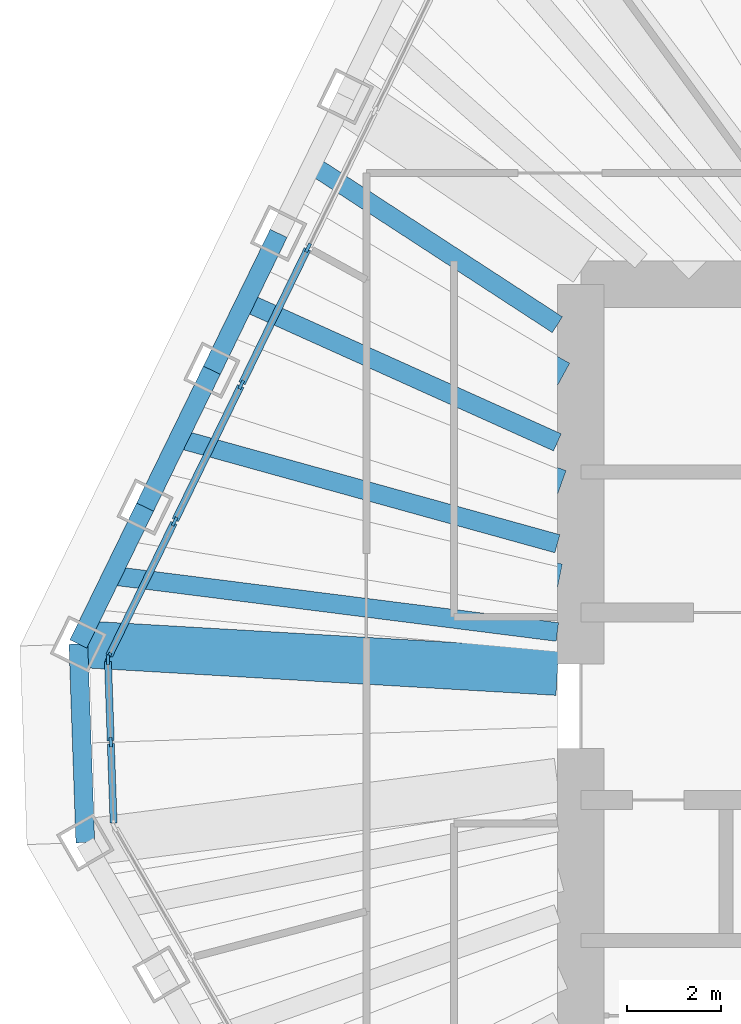
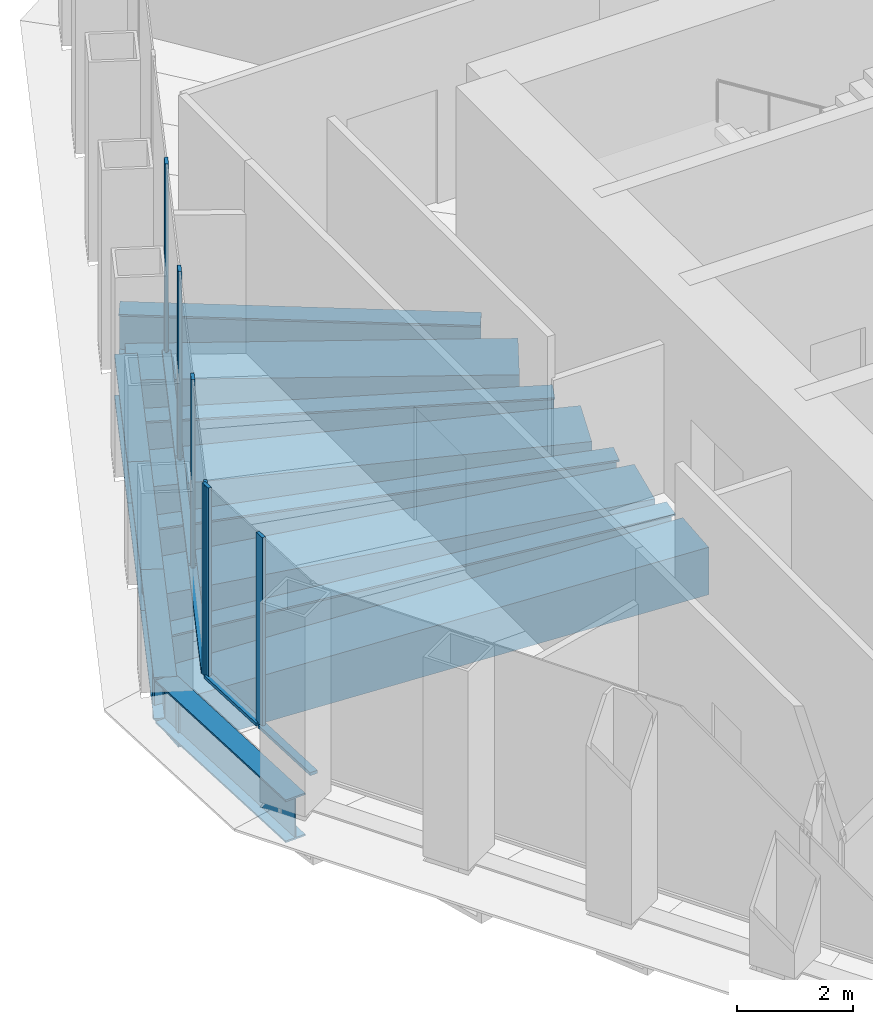
# One storey, part 4 of 14: 12 beams, 11 members, 2 elements without a shape of their own.
"""IFC4 building model written with IfcOpenShell, lengths in metres."""

from ifc_helpers import new_model, si_unit, direction, frame, origin, origin_2d, place, context, subcontext, project, spatial, rectangle, hollow_rectangle, i_section, extrude, material, material_profile, profile_set, type_object, element, aggregate, save


model = new_model("IFC4")

# Units and contexts
model_context = context("Model", 3, precision=1e-05, world=origin(), true_north=direction((0.0, 1.0)))
body_context = subcontext(model_context, "Body", "Model", "MODEL_VIEW")
ifc_project = project(units=[si_unit("LENGTHUNIT", "METRE"), si_unit("AREAUNIT", "SQUARE_METRE"), si_unit("VOLUMEUNIT", "CUBIC_METRE"), si_unit("PLANEANGLEUNIT", "RADIAN"), si_unit("MASSUNIT", "GRAM", prefix="KILO")], contexts=[model_context])

# Site, building, storey
site_placement = place(None, origin())
site = spatial("IfcSite", under=ifc_project, at=site_placement, CompositionType="ELEMENT")
building_placement = place(site_placement, origin())
building = spatial("IfcBuilding", under=site, at=building_placement, Name="Qingtian Harvest Tower", CompositionType="ELEMENT")
storey_placement = place(building_placement, frame((0.0, 0.0, 299.800048828125)))
storey = spatial("IfcBuildingStorey", under=building, at=storey_placement, Name="L66", CompositionType="ELEMENT", Elevation=299.800048828125)

# Beams
ifc_material_1 = material(Name="Steel SN490B", Category="steel")
ifc_material_profile_1 = material_profile(ifc_material_1, i_section(OverallWidth=0.39990234375, OverallDepth=0.89990234375, WebThickness=0.01904296875, FlangeThickness=0.035888671875, at=origin_2d()), Name="H900x400x19x36")
ifc_profile_set_1 = profile_set([ifc_material_profile_1], Name="Steel SN490B")
beam_type_1 = type_object("IfcBeamType", Name="Floor joist J4 H900x400x19x36", PredefinedType="JOIST", material=ifc_profile_set_1)
beam_1_placement = place(storey_placement, frame((-22.00537109375, 2.78662109375, -0.6201171875), z_axis=(0.992078247837, -0.125621455844, 0.0), x_axis=(0.125621455844, 0.992078247837, 0.0)))
element("IfcBeam", 1, at=beam_1_placement, inside=storey, type_object=beam_type_1, Name="Floor joist J4 NW0", PredefinedType="JOIST", context=body_context, shape_type="SweptSolid", body=[
    extrude(i_section(OverallWidth=0.39990234375, OverallDepth=0.89990234375, WebThickness=0.01904296875, FlangeThickness=0.035888671875, at=origin_2d()), origin(), (0.0, 0.0, 1.0), 9.581298828125),
])
beam_2_placement = place(storey_placement, frame((-20.58154296875, 5.7060546875, -0.6201171875), z_axis=(0.963652918134, -0.267157356949, 0.0), x_axis=(0.267157356949, 0.963652918134, 0.0)))
element("IfcBeam", 2, at=beam_2_placement, inside=storey, type_object=beam_type_1, Name="Floor joist J4 NW1", PredefinedType="JOIST", context=body_context, shape_type="SweptSolid", body=[
    extrude(i_section(OverallWidth=0.39990234375, OverallDepth=0.89990234375, WebThickness=0.01904296875, FlangeThickness=0.035888671875, at=origin_2d()), origin(), (0.0, 0.0, 1.0), 8.386474609375),
])
beam_3_placement = place(storey_placement, frame((-19.15771484375, 8.625244140625, -0.6201171875), z_axis=(0.911852669976, -0.410517610168, 0.0), x_axis=(0.410517610168, 0.911852669976, 0.0)))
element("IfcBeam", 3, at=beam_3_placement, inside=storey, type_object=beam_type_1, Name="Floor joist J4 NW2", PredefinedType="JOIST", context=body_context, shape_type="SweptSolid", body=[
    extrude(i_section(OverallWidth=0.39990234375, OverallDepth=0.89990234375, WebThickness=0.01904296875, FlangeThickness=0.035888671875, at=origin_2d()), origin(), (0.0, 0.0, 1.0), 7.30126953125),
])
beam_4_placement = place(storey_placement, frame((-17.73388671875, 11.544677734375, -0.6201171875), z_axis=(0.838062930903, -0.545573573266, 0.0), x_axis=(0.545573573266, 0.838062930903, 0.0)))
element("IfcBeam", 4, at=beam_4_placement, inside=storey, type_object=beam_type_1, Name="Floor joist J4 NW3", PredefinedType="JOIST", context=body_context, shape_type="SweptSolid", body=[
    extrude(i_section(OverallWidth=0.39990234375, OverallDepth=0.89990234375, WebThickness=0.01904296875, FlangeThickness=0.035888671875, at=origin_2d()), origin(), (0.0, 0.0, 1.0), 6.2451171875),
])

# Curtain wall, members
ifc_material_2 = material(Name="Bronze-anodised aluminium curtain wall", Category="aluminium")
curtain_wall_type = type_object("IfcCurtainWallType", Name="Curtain wall CW5 upper office", PredefinedType="USERDEFINED", material=ifc_material_2)
curtain_wall_1_placement = place(storey_placement, origin())
curtain_wall_1 = element("IfcCurtainWall", 5, at=curtain_wall_1_placement, inside=storey, type_object=curtain_wall_type, Name="Curtain wall CW5 L66 SWC", ObjectType="RECESSED CURTAIN WALL", PredefinedType="USERDEFINED")
ifc_material_3 = material(Name="Bronze-anodised aluminium mullion", Category="aluminium")
ifc_material_profile_2 = material_profile(ifc_material_3, rectangle(XDim=0.06494140625, YDim=0.199951171875, at=origin_2d()), Name="AL 65x200")
ifc_profile_set_2 = profile_set([ifc_material_profile_2], Name="Bronze-anodised aluminium mullion")
member_type_1 = type_object("IfcMemberType", Name="Mullion CWM 65x200", PredefinedType="MULLION", material=ifc_profile_set_2)
member_1_placement = place(storey_placement, frame((-22.025634765625, -0.76904296875, 0.0), z_axis=(0.0, 0.0, 1.0), x_axis=(-0.999390827019, -0.034899496703, 0.0)))
member_1 = element("IfcMember", 6, at=member_1_placement, type_object=member_type_1, Name="CW5 mullion 2", PredefinedType="MULLION", context=body_context, shape_type="SweptSolid", body=[
    extrude(rectangle(XDim=0.06494140625, YDim=0.199951171875, at=origin_2d()), origin(), (0.0, 0.0, 1.0), 4.030029296875),
])
member_2_placement = place(storey_placement, frame((-22.087158203125, 0.98779296875, 0.0), z_axis=(0.0, 0.0, 1.0), x_axis=(-0.999390827019, -0.034899496703, 0.0)))
member_2 = element("IfcMember", 7, at=member_2_placement, type_object=member_type_1, Name="CW5 mullion 3", PredefinedType="MULLION", context=body_context, shape_type="SweptSolid", body=[
    extrude(rectangle(XDim=0.06494140625, YDim=0.199951171875, at=origin_2d()), origin(), (0.0, 0.0, 1.0), 4.030029296875),
])

curtain_wall_2_placement = place(storey_placement, origin())
curtain_wall_2 = element("IfcCurtainWall", 8, at=curtain_wall_2_placement, inside=storey, type_object=curtain_wall_type, Name="Curtain wall CW5 L66 NW0-5", ObjectType="RECESSED CURTAIN WALL", PredefinedType="USERDEFINED")
member_3_placement = place(storey_placement, frame((-22.073974609375, 1.04931640625, 0.0), z_axis=(0.0, 0.0, 1.0), x_axis=(-0.898794046299, 0.438371146789, 0.0)))
member_3 = element("IfcMember", 9, at=member_3_placement, type_object=member_type_1, Name="CW5 mullion 1", PredefinedType="MULLION", context=body_context, shape_type="SweptSolid", body=[
    extrude(rectangle(XDim=0.06494140625, YDim=0.199951171875, at=origin_2d()), origin(), (0.0, 0.0, 1.0), 4.030029296875),
])
member_4_placement = place(storey_placement, frame((-20.664306640625, 3.939453125, 0.0), z_axis=(0.0, 0.0, 1.0), x_axis=(-0.898794046299, 0.438371146789, 0.0)))
member_4 = element("IfcMember", 10, at=member_4_placement, type_object=member_type_1, Name="CW5 mullion 2", PredefinedType="MULLION", context=body_context, shape_type="SweptSolid", body=[
    extrude(rectangle(XDim=0.06494140625, YDim=0.199951171875, at=origin_2d()), origin(), (0.0, 0.0, 1.0), 4.030029296875),
])
member_5_placement = place(storey_placement, frame((-19.240478515625, 6.85888671875, 0.0), z_axis=(0.0, 0.0, 1.0), x_axis=(-0.898794046299, 0.438371146789, 0.0)))
member_5 = element("IfcMember", 11, at=member_5_placement, type_object=member_type_1, Name="CW5 mullion 3", PredefinedType="MULLION", context=body_context, shape_type="SweptSolid", body=[
    extrude(rectangle(XDim=0.06494140625, YDim=0.199951171875, at=origin_2d()), origin(), (0.0, 0.0, 1.0), 4.030029296875),
])
member_6_placement = place(storey_placement, frame((-17.816650390625, 9.778076171875, 0.0), z_axis=(0.0, 0.0, 1.0), x_axis=(-0.898794046299, 0.438371146789, 0.0)))
member_6 = element("IfcMember", 12, at=member_6_placement, type_object=member_type_1, Name="CW5 mullion 4", PredefinedType="MULLION", context=body_context, shape_type="SweptSolid", body=[
    extrude(rectangle(XDim=0.06494140625, YDim=0.199951171875, at=origin_2d()), origin(), (0.0, 0.0, 1.0), 4.030029296875),
])

# Beams
ifc_material_4 = material(Name="Steel SN490B", Category="steel")
ifc_material_profile_3 = material_profile(ifc_material_4, i_section(OverallWidth=0.39990234375, OverallDepth=0.89990234375, WebThickness=0.01904296875, FlangeThickness=0.035888671875, at=origin_2d()), Name="H900x400x19x36")
ifc_profile_set_3 = profile_set([ifc_material_profile_3], Name="Steel SN490B")
beam_type_2 = type_object("IfcBeamType", Name="Spandrel beam SB4 H900x400x19x36", PredefinedType="SPANDREL", material=ifc_profile_set_3)
beam_5_placement = place(storey_placement, frame((-22.569580078125, -2.908447265625, -0.449951171875), z_axis=(-0.034851142499, 0.999392514414, 0.0), x_axis=(-0.999392514414, -0.034851142499, 0.0)))
element("IfcBeam", 13, at=beam_5_placement, inside=storey, type_object=beam_type_2, Name="Spandrel SB4 SWC", PredefinedType="SPANDREL", context=body_context, shape_type="SweptSolid", body=[
    extrude(i_section(OverallWidth=0.39990234375, OverallDepth=0.89990234375, WebThickness=0.01904296875, FlangeThickness=0.035888671875, at=origin_2d()), origin(), (0.0, 0.0, 1.0), 4.23828125),
])
beam_6_placement = place(storey_placement, frame((-22.71728515625, 1.3271484375, -0.449951171875), z_axis=(0.438382164311, 0.898788672611, 0.0), x_axis=(-0.898788672611, 0.438382164311, 0.0)))
element("IfcBeam", 14, at=beam_6_placement, inside=storey, type_object=beam_type_2, Name="Spandrel SB4 NW0", PredefinedType="SPANDREL", context=body_context, shape_type="SweptSolid", body=[
    extrude(i_section(OverallWidth=0.39990234375, OverallDepth=0.89990234375, WebThickness=0.01904296875, FlangeThickness=0.035888671875, at=origin_2d()), origin(), (0.0, 0.0, 1.0), 3.247802734375),
])
beam_7_placement = place(storey_placement, frame((-21.29345703125, 4.246337890625, -0.449951171875), z_axis=(0.438352548749, 0.898803116931, 0.0), x_axis=(-0.898803116931, 0.438352548749, 0.0)))
element("IfcBeam", 15, at=beam_7_placement, inside=storey, type_object=beam_type_2, Name="Spandrel SB4 NW1", PredefinedType="SPANDREL", context=body_context, shape_type="SweptSolid", body=[
    extrude(i_section(OverallWidth=0.39990234375, OverallDepth=0.89990234375, WebThickness=0.01904296875, FlangeThickness=0.035888671875, at=origin_2d()), origin(), (0.0, 0.0, 1.0), 3.248046875),
])
beam_8_placement = place(storey_placement, frame((-19.86962890625, 7.165771484375, -0.449951171875), z_axis=(0.438382164311, 0.898788672611, 0.0), x_axis=(-0.898788672611, 0.438382164311, 0.0)))
element("IfcBeam", 16, at=beam_8_placement, inside=storey, type_object=beam_type_2, Name="Spandrel SB4 NW2", PredefinedType="SPANDREL", context=body_context, shape_type="SweptSolid", body=[
    extrude(i_section(OverallWidth=0.39990234375, OverallDepth=0.89990234375, WebThickness=0.01904296875, FlangeThickness=0.035888671875, at=origin_2d()), origin(), (0.0, 0.0, 1.0), 3.247802734375),
])
ifc_material_5 = material(Name="Steel SM570MC", Category="steel")
ifc_material_profile_4 = material_profile(ifc_material_5, hollow_rectangle(XDim=1.0, YDim=1.0, WallThickness=0.080078125, at=origin_2d()), Name="BOX1000x1000x80")
ifc_profile_set_4 = profile_set([ifc_material_profile_4], Name="Steel SM570MC")
beam_type_3 = type_object("IfcBeamType", Name="Transfer corner beam FB11 BOX1000x1000x80", PredefinedType="BEAM", material=ifc_profile_set_4)
beam_9_placement = place(storey_placement, frame((-22.71728515625, 1.3271484375, -0.670166015625), z_axis=(0.998297736533, -0.058323487833, 0.0), x_axis=(0.058323487833, 0.998297736533, 0.0)))
element("IfcBeam", 17, at=beam_9_placement, inside=storey, type_object=beam_type_3, Name="Floor beam FB11 NW0", PredefinedType="BEAM", context=body_context, shape_type="SweptSolid", body=[
    extrude(hollow_rectangle(XDim=1.0, YDim=1.0, WallThickness=0.080078125, at=origin_2d()), origin(), (0.0, 0.0, 1.0), 10.234619140625),
])
ifc_material_6 = material(Name="Steel SM570MC", Category="steel")
ifc_material_profile_5 = material_profile(ifc_material_6, hollow_rectangle(XDim=1.10009765625, YDim=1.10009765625, WallThickness=0.10009765625, at=origin_2d()), Name="BOX1100x1100x100")
ifc_profile_set_5 = profile_set([ifc_material_profile_5], Name="Steel SM570MC")
beam_type_4 = type_object("IfcBeamType", Name="Transfer floor beam FB9 BOX1100x1100x100", PredefinedType="BEAM", material=ifc_profile_set_5)
beam_10_placement = place(storey_placement, frame((-21.29345703125, 4.246337890625, -0.719970703125), z_axis=(0.980688391079, -0.195576786971, 0.0), x_axis=(0.195576786971, 0.980688391079, 0.0)))
element("IfcBeam", 18, at=beam_10_placement, inside=storey, type_object=beam_type_4, Name="Floor beam FB9 NW1", PredefinedType="BEAM", context=body_context, shape_type="SweptSolid", body=[
    extrude(hollow_rectangle(XDim=1.10009765625, YDim=1.10009765625, WallThickness=0.10009765625, at=origin_2d()), origin(), (0.0, 0.0, 1.0), 8.966552734375),
])
beam_11_placement = place(storey_placement, frame((-19.86962890625, 7.165771484375, -0.719970703125), z_axis=(0.940688220757, -0.339272267256, 0.0), x_axis=(0.339272267256, 0.940688220757, 0.0)))
element("IfcBeam", 19, at=beam_11_placement, inside=storey, type_object=beam_type_4, Name="Floor beam FB9 NW2", PredefinedType="BEAM", context=body_context, shape_type="SweptSolid", body=[
    extrude(hollow_rectangle(XDim=1.10009765625, YDim=1.10009765625, WallThickness=0.10009765625, at=origin_2d()), origin(), (0.0, 0.0, 1.0), 7.834228515625),
])
beam_12_placement = place(storey_placement, frame((-18.44580078125, 10.0849609375, -0.719970703125), z_axis=(0.877425639682, -0.479712671116, 0.0), x_axis=(0.479712671116, 0.877425639682, 0.0)))
element("IfcBeam", 20, at=beam_12_placement, inside=storey, type_object=beam_type_4, Name="Floor beam FB9 NW3", PredefinedType="BEAM", context=body_context, shape_type="SweptSolid", body=[
    extrude(hollow_rectangle(XDim=1.10009765625, YDim=1.10009765625, WallThickness=0.10009765625, at=origin_2d()), origin(), (0.0, 0.0, 1.0), 6.7763671875),
])

# Member
ifc_material_7 = material(Name="Bronze-anodised aluminium transom", Category="aluminium")
ifc_material_profile_6 = material_profile(ifc_material_7, rectangle(XDim=0.14990234375, YDim=0.06494140625, at=origin_2d()), Name="AL 65x150")
ifc_profile_set_6 = profile_set([ifc_material_profile_6], Name="Bronze-anodised aluminium transom")
member_type_2 = type_object("IfcMemberType", Name="Transom CWT 65x150", PredefinedType="USERDEFINED", material=ifc_profile_set_6)
member_7_placement = place(storey_placement, frame((-21.965576171875, -2.49365234375, 0.032470703125), z_axis=(-0.034899362377, 0.99939083171, 0.0), x_axis=(-0.99939083171, -0.034899362377, 0.0)))
member_7 = element("IfcMember", 21, at=member_7_placement, type_object=member_type_2, Name="CW5 transom 1.1", ObjectType="TRANSOM", PredefinedType="USERDEFINED", context=body_context, shape_type="SweptSolid", body=[
    extrude(rectangle(XDim=0.14990234375, YDim=0.06494140625, at=origin_2d()), origin(), (0.0, 0.0, 1.0), 1.69287109375),
])

member_8_placement = place(storey_placement, frame((-22.02685546875, -0.736572265625, 0.032470703125), z_axis=(-0.034899362377, 0.99939083171, 0.0), x_axis=(-0.99939083171, -0.034899362377, 0.0)))
member_8 = element("IfcMember", 22, at=member_8_placement, type_object=member_type_2, Name="CW5 transom 2.1", ObjectType="TRANSOM", PredefinedType="USERDEFINED", context=body_context, shape_type="SweptSolid", body=[
    extrude(rectangle(XDim=0.14990234375, YDim=0.06494140625, at=origin_2d()), origin(), (0.0, 0.0, 1.0), 1.69287109375),
])

aggregate(curtain_wall_1, [member_1, member_2, member_7, member_8])

member_9_placement = place(storey_placement, frame((-22.059814453125, 1.07861328125, 0.032470703125), z_axis=(0.438357982629, 0.89880046677, 0.0), x_axis=(-0.89880046677, 0.438357982629, 0.0)))
member_9 = element("IfcMember", 23, at=member_9_placement, type_object=member_type_2, Name="CW5 transom 1.1", ObjectType="TRANSOM", PredefinedType="USERDEFINED", context=body_context, shape_type="SweptSolid", body=[
    extrude(rectangle(XDim=0.14990234375, YDim=0.06494140625, at=origin_2d()), origin(), (0.0, 0.0, 1.0), 3.150634765625),
])

member_10_placement = place(storey_placement, frame((-20.650146484375, 3.96875, 0.032470703125), z_axis=(0.438355626738, 0.898801615768, 0.0), x_axis=(-0.898801615768, 0.438355626738, 0.0)))
member_10 = element("IfcMember", 24, at=member_10_placement, type_object=member_type_2, Name="CW5 transom 2.1", ObjectType="TRANSOM", PredefinedType="USERDEFINED", context=body_context, shape_type="SweptSolid", body=[
    extrude(rectangle(XDim=0.14990234375, YDim=0.06494140625, at=origin_2d()), origin(), (0.0, 0.0, 1.0), 3.182861328125),
])

member_11_placement = place(storey_placement, frame((-19.226318359375, 6.887939453125, 0.032470703125), z_axis=(0.438325408134, 0.898816353091, 0.0), x_axis=(-0.898816353091, 0.438325408134, 0.0)))
member_11 = element("IfcMember", 25, at=member_11_placement, type_object=member_type_2, Name="CW5 transom 3.1", ObjectType="TRANSOM", PredefinedType="USERDEFINED", context=body_context, shape_type="SweptSolid", body=[
    extrude(rectangle(XDim=0.14990234375, YDim=0.06494140625, at=origin_2d()), origin(), (0.0, 0.0, 1.0), 3.18310546875),
])

aggregate(curtain_wall_2, [member_3, member_4, member_5, member_6, member_9, member_10, member_11])

save(model, "model.ifc")
